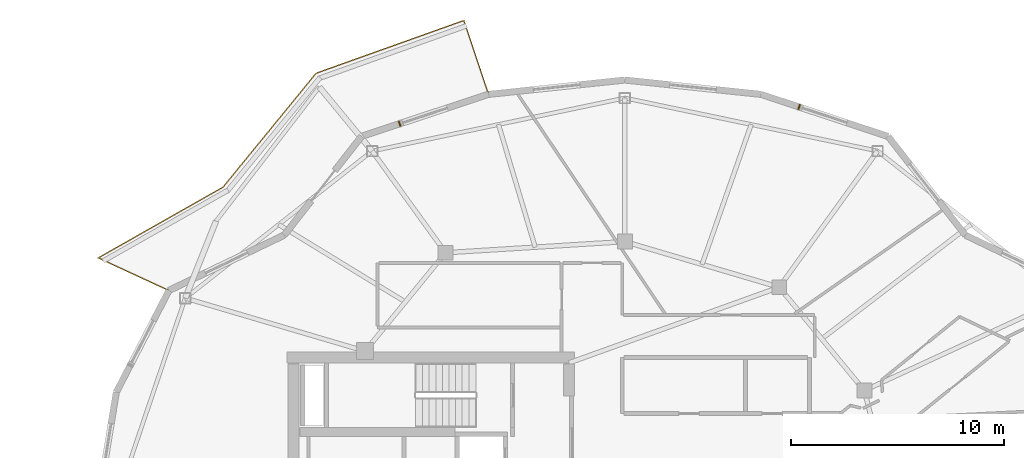
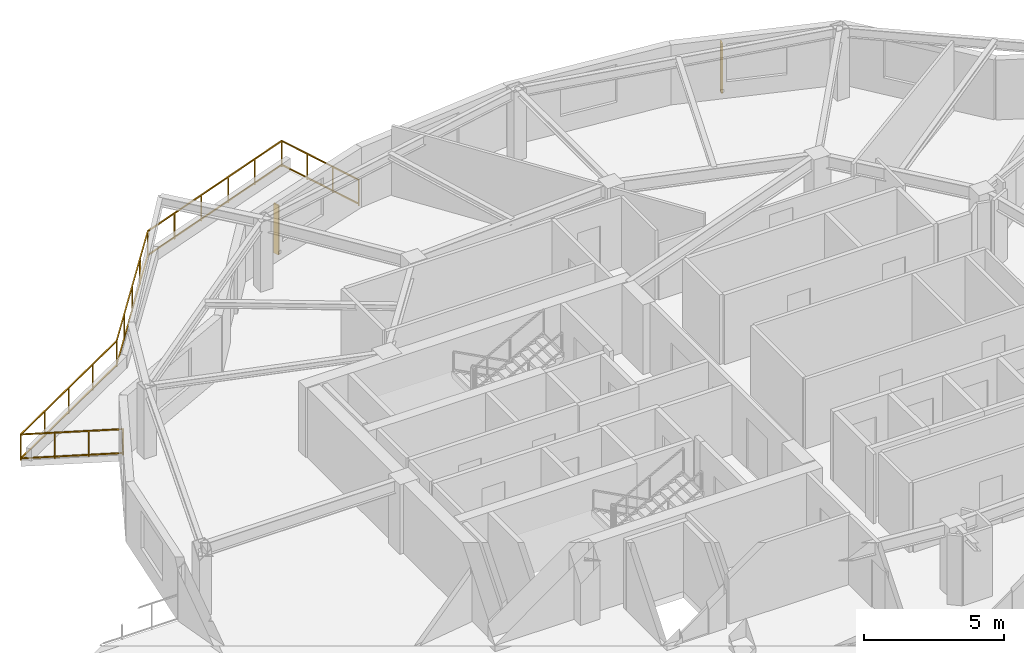
# One storey, part 14 of 14: 2 shading devices, 1 railing.
"""IFC4 building model written with IfcOpenShell, lengths in metres."""

from ifc_helpers import new_model, si_unit, direction, frame, origin, origin_2d, place, context, subcontext, project, spatial, rectangle, extrude, material, type_object, element, save


model = new_model("IFC4")

# Units and contexts
model_context = context("Model", 3, precision=1e-05, world=origin(), true_north=direction((0.0, 1.0)))
body_context = subcontext(model_context, "Body", "Model", "MODEL_VIEW")
ifc_project = project(units=[si_unit("LENGTHUNIT", "METRE"), si_unit("AREAUNIT", "SQUARE_METRE"), si_unit("VOLUMEUNIT", "CUBIC_METRE"), si_unit("PLANEANGLEUNIT", "RADIAN"), si_unit("MASSUNIT", "GRAM", prefix="KILO")], contexts=[model_context])

# Site, building, storey
site_placement = place(None, origin())
site = spatial("IfcSite", under=ifc_project, at=site_placement, CompositionType="ELEMENT")
building_placement = place(site_placement, origin())
building = spatial("IfcBuilding", under=site, at=building_placement, Name="Kolvaren Gate Tower and Convention Centre", CompositionType="ELEMENT")
storey_placement = place(building_placement, frame((0.0, 0.0, 222.800048828125)))
storey = spatial("IfcBuildingStorey", under=building, at=storey_placement, Name="L59", CompositionType="ELEMENT", Elevation=222.800048828125)

# Railing
ifc_material_1 = material(Name="Brushed Stainless Steel Grade 316L", Category="steel")
railing_type = type_object("IfcRailingType", Name="ARCH-RL-GUARD-1150", PredefinedType="GUARDRAIL", material=ifc_material_1)
railing_placement = place(storey_placement, frame((23.71923828125, 46.125244140625, 0.0)))
element("IfcRailing", 1, at=railing_placement, inside=storey, type_object=railing_type, Name="Tower L59 Terrace Perimeter Guardrail GR-1", PredefinedType="GUARDRAIL", context=body_context, shape_type="SweptSolid", body=[
    extrude(rectangle(XDim=0.048095703125, YDim=0.048095703125, at=origin_2d()), frame((-0.0087890625, 0.026611328125, 1.1259765625), z_axis=(-0.317588247294, 0.948228719867, 0.0), x_axis=(-0.948228719867, -0.317588247294, 0.0)), (0.0, 0.0, 1.0), 3.603759765625),
    extrude(rectangle(XDim=0.048095703125, YDim=0.048095703125, at=origin_2d()), frame((-0.0087890625, 0.026611328125, 0.083984375), z_axis=(-0.317588247294, 0.948228719867, 0.0), x_axis=(-0.948228719867, -0.317588247294, 0.0)), (0.0, 0.0, 1.0), 3.603759765625),
    extrude(rectangle(XDim=0.048095703125, YDim=0.048095703125, at=origin_2d()), frame((-1.188720703125, 3.4609375, 1.1259765625), z_axis=(-0.941783827204, -0.336219010197, 0.0), x_axis=(0.336219010197, -0.941783827204, 0.0)), (0.0, 0.0, 1.0), 7.322265625),
    extrude(rectangle(XDim=0.048095703125, YDim=0.048095703125, at=origin_2d()), frame((-1.188720703125, 3.4609375, 0.083984375), z_axis=(-0.941783827204, -0.336219010197, 0.0), x_axis=(0.336219010197, -0.941783827204, 0.0)), (0.0, 0.0, 1.0), 7.322265625),
    extrude(rectangle(XDim=0.048095703125, YDim=0.048095703125, at=origin_2d()), frame((-8.12890625, 0.968017578125, 1.1259765625), z_axis=(-0.632718487063, -0.77438189295, 0.0), x_axis=(0.77438189295, -0.632718487063, 0.0)), (0.0, 0.0, 1.0), 6.858154296875),
    extrude(rectangle(XDim=0.048095703125, YDim=0.048095703125, at=origin_2d()), frame((-8.12890625, 0.968017578125, 0.083984375), z_axis=(-0.632718487063, -0.77438189295, 0.0), x_axis=(0.77438189295, -0.632718487063, 0.0)), (0.0, 0.0, 1.0), 6.858154296875),
    extrude(rectangle(XDim=0.048095703125, YDim=0.048095703125, at=origin_2d()), frame((-12.51025390625, -4.37841796875, 1.1259765625), z_axis=(-0.869876155964, -0.493270182846, 0.0), x_axis=(0.493270182846, -0.869876155964, 0.0)), (0.0, 0.0, 1.0), 6.6865234375),
    extrude(rectangle(XDim=0.048095703125, YDim=0.048095703125, at=origin_2d()), frame((-12.51025390625, -4.37841796875, 0.083984375), z_axis=(-0.869876155964, -0.493270182846, 0.0), x_axis=(0.493270182846, -0.869876155964, 0.0)), (0.0, 0.0, 1.0), 6.6865234375),
    extrude(rectangle(XDim=0.048095703125, YDim=0.048095703125, at=origin_2d()), frame((-18.32568359375, -7.7021484375, 1.1259765625), z_axis=(0.907820723829, -0.419358478377, 0.0), x_axis=(0.419358478377, 0.907820723829, 0.0)), (0.0, 0.0, 1.0), 3.60400390625),
    extrude(rectangle(XDim=0.048095703125, YDim=0.048095703125, at=origin_2d()), frame((-18.32568359375, -7.7021484375, 0.083984375), z_axis=(0.907820723829, -0.419358478377, 0.0), x_axis=(0.419358478377, 0.907820723829, 0.0)), (0.0, 0.0, 1.0), 3.60400390625),
    extrude(rectangle(XDim=0.0419921875, YDim=0.0419921875, at=origin_2d()), origin(), (0.0, 0.0, 1.0), 1.14990234375),
    extrude(rectangle(XDim=0.0419921875, YDim=0.0419921875, at=origin_2d()), frame((-1.162353515625, 3.470458984375, 0.0)), (0.0, 0.0, 1.0), 1.14990234375),
    extrude(rectangle(XDim=0.0419921875, YDim=0.0419921875, at=origin_2d()), frame((-0.387451171875, 1.15673828125, 0.0)), (0.0, 0.0, 1.0), 1.099853515625),
    extrude(rectangle(XDim=0.0419921875, YDim=0.0419921875, at=origin_2d()), frame((-0.77490234375, 2.313720703125, 0.0)), (0.0, 0.0, 1.0), 1.099853515625),
    extrude(rectangle(XDim=0.0419921875, YDim=0.0419921875, at=origin_2d()), frame((-8.111083984375, 0.98974609375, 0.0)), (0.0, 0.0, 1.0), 1.14990234375),
    extrude(rectangle(XDim=0.0419921875, YDim=0.0419921875, at=origin_2d()), frame((-2.552001953125, 2.974365234375, 0.0)), (0.0, 0.0, 1.0), 1.099853515625),
    extrude(rectangle(XDim=0.0419921875, YDim=0.0419921875, at=origin_2d()), frame((-3.94189453125, 2.478271484375, 0.0)), (0.0, 0.0, 1.0), 1.099853515625),
    extrude(rectangle(XDim=0.0419921875, YDim=0.0419921875, at=origin_2d()), frame((-5.33154296875, 1.98193359375, 0.0)), (0.0, 0.0, 1.0), 1.099853515625),
    extrude(rectangle(XDim=0.0419921875, YDim=0.0419921875, at=origin_2d()), frame((-6.721435546875, 1.48583984375, 0.0)), (0.0, 0.0, 1.0), 1.099853515625),
    extrude(rectangle(XDim=0.0419921875, YDim=0.0419921875, at=origin_2d()), frame((-12.48583984375, -4.364501953125, 0.0)), (0.0, 0.0, 1.0), 1.14990234375),
    extrude(rectangle(XDim=0.0419921875, YDim=0.0419921875, at=origin_2d()), frame((-9.204833984375, -0.348876953125, 0.0)), (0.0, 0.0, 1.0), 1.099853515625),
    extrude(rectangle(XDim=0.0419921875, YDim=0.0419921875, at=origin_2d()), frame((-10.29833984375, -1.6875, 0.0)), (0.0, 0.0, 1.0), 1.099853515625),
    extrude(rectangle(XDim=0.0419921875, YDim=0.0419921875, at=origin_2d()), frame((-11.39208984375, -3.02587890625, 0.0)), (0.0, 0.0, 1.0), 1.099853515625),
    extrude(rectangle(XDim=0.0419921875, YDim=0.0419921875, at=origin_2d()), frame((-18.35107421875, -7.6904296875, 0.0)), (0.0, 0.0, 1.0), 1.14990234375),
    extrude(rectangle(XDim=0.0419921875, YDim=0.0419921875, at=origin_2d()), frame((-13.9521484375, -5.196044921875, 0.0)), (0.0, 0.0, 1.0), 1.099853515625),
    extrude(rectangle(XDim=0.0419921875, YDim=0.0419921875, at=origin_2d()), frame((-15.41845703125, -6.02734375, 0.0)), (0.0, 0.0, 1.0), 1.099853515625),
    extrude(rectangle(XDim=0.0419921875, YDim=0.0419921875, at=origin_2d()), frame((-16.884765625, -6.85888671875, 0.0)), (0.0, 0.0, 1.0), 1.099853515625),
    extrude(rectangle(XDim=0.0419921875, YDim=0.0419921875, at=origin_2d()), frame((-15.0283203125, -9.225341796875, 0.0)), (0.0, 0.0, 1.0), 1.14990234375),
    extrude(rectangle(XDim=0.0419921875, YDim=0.0419921875, at=origin_2d()), frame((-17.243408203125, -8.2021484375, 0.0)), (0.0, 0.0, 1.0), 1.099853515625),
    extrude(rectangle(XDim=0.0419921875, YDim=0.0419921875, at=origin_2d()), frame((-16.135986328125, -8.713623046875, 0.0)), (0.0, 0.0, 1.0), 1.099853515625),
])

# Shading devices
ifc_material_2 = material(Name="Kiln-Fired Bogota Terracotta Ceramic Louvre Profile", Category="masonry")
shading_device_type = type_object("IfcShadingDeviceType", Name="ARCH-SHD-FIN-180", PredefinedType="JALOUSIE", material=ifc_material_2)
for number, where, z_axis, x_axis, name in (
    (2, (38.319091796875, 45.53271484375, 0.219970703125), (0.0, 0.0, 1.0), (0.949241728595, -0.314547517385, 0.0), "Ceramic Vertical Brise-Soleil Fin FN-L59-04"),
    (3, (19.538330078125, 44.739990234375, 0.219970703125), (0.0, 0.0, 1.0), (0.949241728595, 0.314547517385, 0.0), "Ceramic Vertical Brise-Soleil Fin FN-L59-07"),
):
    element("IfcShadingDevice", number, at=place(storey_placement, frame(where, z_axis=z_axis, x_axis=x_axis)), inside=storey, type_object=shading_device_type, Name=name, PredefinedType="JALOUSIE", context=body_context, shape_type="SweptSolid", body=[
        extrude(rectangle(XDim=0.06005859375, YDim=0.239990234375, at=origin_2d()), origin(), (0.0, 0.0, 1.0), 2.14990234375),
    ])

save(model, "model.ifc")
